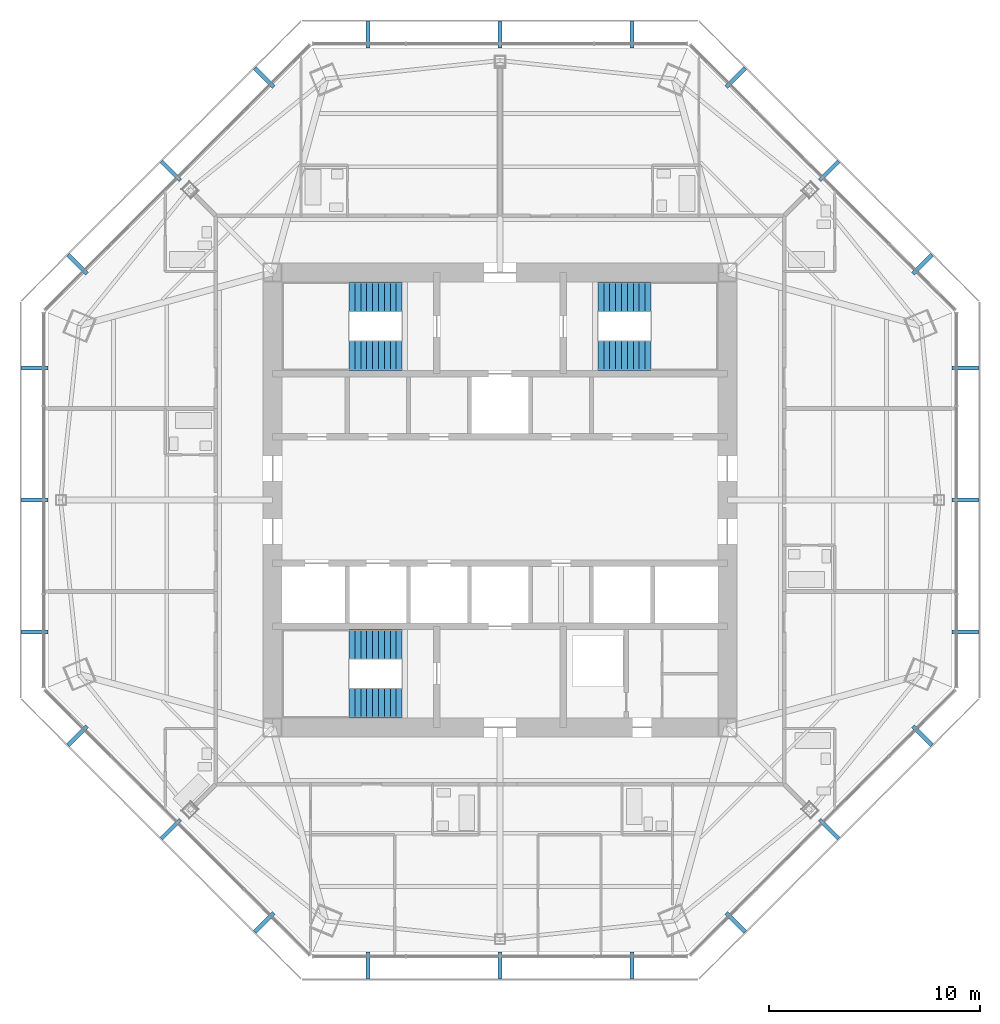
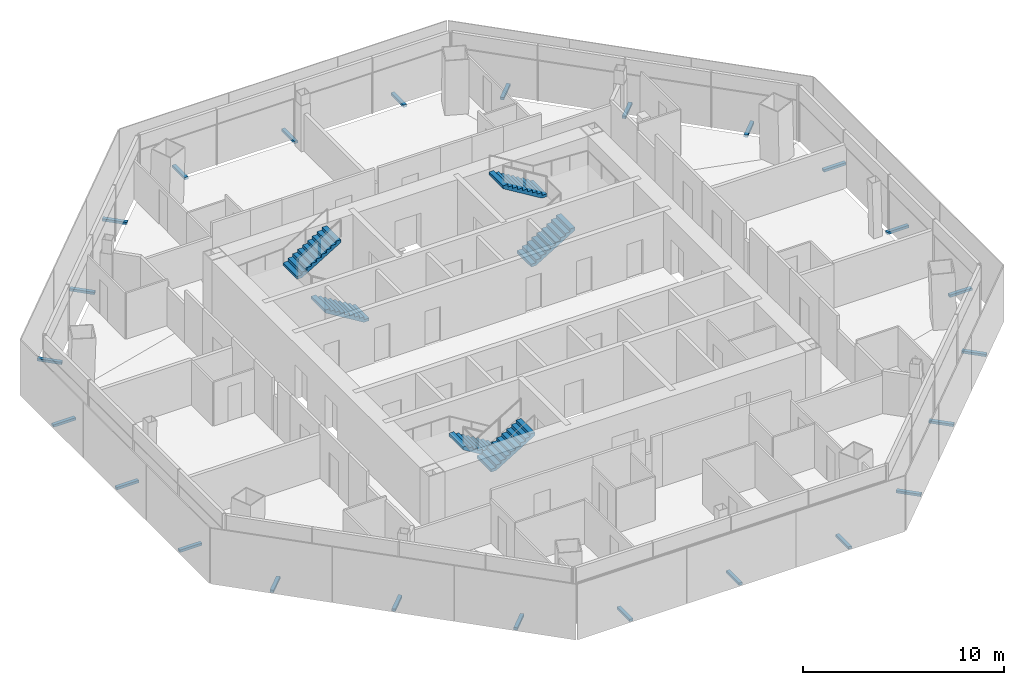
# One storey, part 12 of 15: 24 discrete accessories, 6 stair flights, 3 elements without a shape of their own.
"""IFC4 building model written with IfcOpenShell, lengths in metres."""

from ifc_helpers import new_model, si_unit, direction, frame, origin, origin_2d, place, context, subcontext, project, spatial, polyline, rectangle, outline, extrude, source, transform, mapped, material, type_object, type_shapes, element, aggregate, save


model = new_model("IFC4")

# Units and contexts
model_context = context("Model", 3, precision=1e-05, world=origin(), true_north=direction((0.0, 1.0)))
body_context = subcontext(model_context, "Body", "Model", "MODEL_VIEW")
ifc_project = project(units=[si_unit("LENGTHUNIT", "METRE"), si_unit("AREAUNIT", "SQUARE_METRE"), si_unit("VOLUMEUNIT", "CUBIC_METRE"), si_unit("PLANEANGLEUNIT", "RADIAN"), si_unit("MASSUNIT", "GRAM", prefix="KILO")], contexts=[model_context])

# Site, building, storey
site_placement = place(None, origin())
site = spatial("IfcSite", under=ifc_project, at=site_placement, CompositionType="ELEMENT")
building_placement = place(site_placement, origin())
building = spatial("IfcBuilding", under=site, at=building_placement, Name="Mashrafa Tower", CompositionType="ELEMENT")
storey_placement = place(building_placement, frame((0.0, 0.0, 224.39990234375)))
storey = spatial("IfcBuildingStorey", under=building, at=storey_placement, Name="L52", CompositionType="ELEMENT", Elevation=224.39990234375)

# Stair, stair flights
ifc_material_1 = material(Name="Exit stair 1400")
stair_type = type_object("IfcStairType", Name="Exit stair 1400", PredefinedType="HALF_TURN_STAIR", material=ifc_material_1)
stair_1_placement = place(storey_placement, origin())
stair_1 = element("IfcStair", 1, at=stair_1_placement, inside=storey, type_object=stair_type, Name="Stair S1 L52", PredefinedType="HALF_TURN_STAIR")
ifc_material_2 = material(Name="Concrete C32/40", Category="concrete")
stair_flight_type = type_object("IfcStairFlightType", Name="Stair flight 1400", PredefinedType="STRAIGHT", material=ifc_material_2)
stair_flight_1_placement = place(storey_placement, frame((-4.64990234375, 6.85009765625, 0.0), z_axis=(0.0, 0.0, 1.0), x_axis=(-1.0, 0.0, 0.0)))
stair_flight_1 = element("IfcStairFlight", 2, at=stair_flight_1_placement, type_object=stair_flight_type, Name="S1 flight 1", NumberOfRisers=10, NumberOfTreads=9, PredefinedType="STRAIGHT", RiserHeight=0.17, TreadLength=0.28, context=body_context, shape_type="SweptSolid", body=[
    extrude(outline(polyline([(0.0, 0.0), (0.0, 0.169921875), (0.280029296875, 0.169921875), (0.280029296875, 0.340087890625), (0.56005859375, 0.340087890625), (0.56005859375, 0.510009765625), (0.840087890625, 0.510009765625), (0.840087890625, 0.679931640625), (1.1201171875, 0.679931640625), (1.1201171875, 0.85009765625), (1.39990234375, 0.85009765625), (1.39990234375, 1.02001953125), (1.679931640625, 1.02001953125), (1.679931640625, 1.18994140625), (1.9599609375, 1.18994140625), (1.9599609375, 1.360107421875), (2.239990234375, 1.360107421875), (2.239990234375, 1.530029296875), (2.52001953125, 1.530029296875), (2.52001953125, 1.699951171875), (2.52001953125, 1.354736328125), (0.288818359375, 0.0), (0.0, 0.0)])), frame((0.0, 0.699951171875, 0.0), z_axis=(0.0, -1.0, 0.0), x_axis=(1.0, 0.0, 0.0)), (0.0, 0.0, 1.0), 1.39990234375),
])
stair_flight_2_placement = place(storey_placement, frame((-7.169921875, 9.64990234375, 1.7001953125), z_axis=(0.0, 0.0, 1.0), x_axis=(1.0, 0.0, 0.0)))
stair_flight_2 = element("IfcStairFlight", 3, at=stair_flight_2_placement, type_object=stair_flight_type, Name="S1 flight 2", NumberOfRisers=10, NumberOfTreads=9, PredefinedType="STRAIGHT", RiserHeight=0.17, TreadLength=0.28, context=body_context, shape_type="SweptSolid", body=[
    extrude(outline(polyline([(0.0, 0.0), (0.0, 0.169921875), (0.280029296875, 0.169921875), (0.280029296875, 0.340087890625), (0.56005859375, 0.340087890625), (0.56005859375, 0.510009765625), (0.840087890625, 0.510009765625), (0.840087890625, 0.679931640625), (1.1201171875, 0.679931640625), (1.1201171875, 0.85009765625), (1.39990234375, 0.85009765625), (1.39990234375, 1.02001953125), (1.679931640625, 1.02001953125), (1.679931640625, 1.18994140625), (1.9599609375, 1.18994140625), (1.9599609375, 1.360107421875), (2.239990234375, 1.360107421875), (2.239990234375, 1.530029296875), (2.52001953125, 1.530029296875), (2.52001953125, 1.699951171875), (2.52001953125, 1.354736328125), (0.288818359375, 0.0), (0.0, 0.0)])), frame((0.0, 0.699951171875, 0.0), z_axis=(0.0, -1.0, 0.0), x_axis=(1.0, 0.0, 0.0)), (0.0, 0.0, 1.0), 1.39990234375),
])
aggregate(stair_1, [stair_flight_1, stair_flight_2])

stair_2_placement = place(storey_placement, origin())
stair_2 = element("IfcStair", 4, at=stair_2_placement, inside=storey, type_object=stair_type, Name="Stair S2 L52", PredefinedType="HALF_TURN_STAIR")
stair_flight_3_placement = place(storey_placement, frame((4.64990234375, 6.85009765625, 0.0), z_axis=(0.0, 0.0, 1.0), x_axis=(1.0, 0.0, 0.0)))
stair_flight_3 = element("IfcStairFlight", 5, at=stair_flight_3_placement, type_object=stair_flight_type, Name="S2 flight 1", NumberOfRisers=10, NumberOfTreads=9, PredefinedType="STRAIGHT", RiserHeight=0.17, TreadLength=0.28, context=body_context, shape_type="SweptSolid", body=[
    extrude(outline(polyline([(0.0, 0.0), (0.0, 0.169921875), (0.280029296875, 0.169921875), (0.280029296875, 0.340087890625), (0.56005859375, 0.340087890625), (0.56005859375, 0.510009765625), (0.840087890625, 0.510009765625), (0.840087890625, 0.679931640625), (1.1201171875, 0.679931640625), (1.1201171875, 0.85009765625), (1.39990234375, 0.85009765625), (1.39990234375, 1.02001953125), (1.679931640625, 1.02001953125), (1.679931640625, 1.18994140625), (1.9599609375, 1.18994140625), (1.9599609375, 1.360107421875), (2.239990234375, 1.360107421875), (2.239990234375, 1.530029296875), (2.52001953125, 1.530029296875), (2.52001953125, 1.699951171875), (2.52001953125, 1.354736328125), (0.288818359375, 0.0), (0.0, 0.0)])), frame((0.0, 0.699951171875, 0.0), z_axis=(0.0, -1.0, 0.0), x_axis=(1.0, 0.0, 0.0)), (0.0, 0.0, 1.0), 1.39990234375),
])
stair_flight_4_placement = place(storey_placement, frame((7.169921875, 9.64990234375, 1.7001953125), z_axis=(0.0, 0.0, 1.0), x_axis=(-1.0, 0.0, 0.0)))
stair_flight_4 = element("IfcStairFlight", 6, at=stair_flight_4_placement, type_object=stair_flight_type, Name="S2 flight 2", NumberOfRisers=10, NumberOfTreads=9, PredefinedType="STRAIGHT", RiserHeight=0.17, TreadLength=0.28, context=body_context, shape_type="SweptSolid", body=[
    extrude(outline(polyline([(0.0, 0.0), (0.0, 0.169921875), (0.280029296875, 0.169921875), (0.280029296875, 0.340087890625), (0.56005859375, 0.340087890625), (0.56005859375, 0.510009765625), (0.840087890625, 0.510009765625), (0.840087890625, 0.679931640625), (1.1201171875, 0.679931640625), (1.1201171875, 0.85009765625), (1.39990234375, 0.85009765625), (1.39990234375, 1.02001953125), (1.679931640625, 1.02001953125), (1.679931640625, 1.18994140625), (1.9599609375, 1.18994140625), (1.9599609375, 1.360107421875), (2.239990234375, 1.360107421875), (2.239990234375, 1.530029296875), (2.52001953125, 1.530029296875), (2.52001953125, 1.699951171875), (2.52001953125, 1.354736328125), (0.288818359375, 0.0), (0.0, 0.0)])), frame((0.0, 0.699951171875, 0.0), z_axis=(0.0, -1.0, 0.0), x_axis=(1.0, 0.0, 0.0)), (0.0, 0.0, 1.0), 1.39990234375),
])
aggregate(stair_2, [stair_flight_3, stair_flight_4])

stair_3_placement = place(storey_placement, origin())
stair_3 = element("IfcStair", 7, at=stair_3_placement, inside=storey, type_object=stair_type, Name="Stair S3 L52", PredefinedType="HALF_TURN_STAIR")
stair_flight_5_placement = place(storey_placement, frame((-4.64990234375, -6.85009765625, 0.0), z_axis=(0.0, 0.0, 1.0), x_axis=(-1.0, 0.0, 0.0)))
stair_flight_5 = element("IfcStairFlight", 8, at=stair_flight_5_placement, type_object=stair_flight_type, Name="S3 flight 1", NumberOfRisers=10, NumberOfTreads=9, PredefinedType="STRAIGHT", RiserHeight=0.17, TreadLength=0.28, context=body_context, shape_type="SweptSolid", body=[
    extrude(outline(polyline([(0.0, 0.0), (0.0, 0.169921875), (0.280029296875, 0.169921875), (0.280029296875, 0.340087890625), (0.56005859375, 0.340087890625), (0.56005859375, 0.510009765625), (0.840087890625, 0.510009765625), (0.840087890625, 0.679931640625), (1.1201171875, 0.679931640625), (1.1201171875, 0.85009765625), (1.39990234375, 0.85009765625), (1.39990234375, 1.02001953125), (1.679931640625, 1.02001953125), (1.679931640625, 1.18994140625), (1.9599609375, 1.18994140625), (1.9599609375, 1.360107421875), (2.239990234375, 1.360107421875), (2.239990234375, 1.530029296875), (2.52001953125, 1.530029296875), (2.52001953125, 1.699951171875), (2.52001953125, 1.354736328125), (0.288818359375, 0.0), (0.0, 0.0)])), frame((0.0, 0.699951171875, 0.0), z_axis=(0.0, -1.0, 0.0), x_axis=(1.0, 0.0, 0.0)), (0.0, 0.0, 1.0), 1.39990234375),
])
stair_flight_6_placement = place(storey_placement, frame((-7.169921875, -9.64990234375, 1.7001953125), z_axis=(0.0, 0.0, 1.0), x_axis=(1.0, 0.0, 0.0)))
stair_flight_6 = element("IfcStairFlight", 9, at=stair_flight_6_placement, type_object=stair_flight_type, Name="S3 flight 2", NumberOfRisers=10, NumberOfTreads=9, PredefinedType="STRAIGHT", RiserHeight=0.17, TreadLength=0.28, context=body_context, shape_type="SweptSolid", body=[
    extrude(outline(polyline([(0.0, 0.0), (0.0, 0.169921875), (0.280029296875, 0.169921875), (0.280029296875, 0.340087890625), (0.56005859375, 0.340087890625), (0.56005859375, 0.510009765625), (0.840087890625, 0.510009765625), (0.840087890625, 0.679931640625), (1.1201171875, 0.679931640625), (1.1201171875, 0.85009765625), (1.39990234375, 0.85009765625), (1.39990234375, 1.02001953125), (1.679931640625, 1.02001953125), (1.679931640625, 1.18994140625), (1.9599609375, 1.18994140625), (1.9599609375, 1.360107421875), (2.239990234375, 1.360107421875), (2.239990234375, 1.530029296875), (2.52001953125, 1.530029296875), (2.52001953125, 1.699951171875), (2.52001953125, 1.354736328125), (0.288818359375, 0.0), (0.0, 0.0)])), frame((0.0, 0.699951171875, 0.0), z_axis=(0.0, -1.0, 0.0), x_axis=(1.0, 0.0, 0.0)), (0.0, 0.0, 1.0), 1.39990234375),
])
aggregate(stair_3, [stair_flight_5, stair_flight_6])

# Discrete accessories
ifc_material_3 = material(Name="Stainless steel screen bracket", Category="steel")
discrete_accessory_type = type_object("IfcDiscreteAccessoryType", Name="Screen support bracket 200 x 150", PredefinedType="BRACKET", material=ifc_material_3)
shared_shape = source(origin(), body_context, "Body", "SweptSolid", [
    extrude(rectangle(XDim=0.199951171875, YDim=1.27001953125, at=origin_2d()), origin(), (0.0, 0.0, 1.0), 0.14990234375),
])
type_shapes(discrete_accessory_type, [shared_shape])
for number, where, z_axis, x_axis, name in (
    (10, (22.101806640625, -6.27197265625, -0.14990234375), (0.0, 0.0, 1.0), (0.0, 1.0, 0.0), "Screen support bracket L52 east 1"),
    (11, (22.101806640625, 0.0, -0.14990234375), (0.0, 0.0, 1.0), (0.0, 1.0, 0.0), "Screen support bracket L52 east 2"),
    (12, (22.101806640625, 6.27197265625, -0.14990234375), (0.0, 0.0, 1.0), (0.0, 1.0, 0.0), "Screen support bracket L52 east 3"),
    (13, (20.063232421875, 11.193359375, -0.14990234375), (0.0, 0.0, 1.0), (-0.707106781187, 0.707106781187, 0.0), "Screen support bracket L52 north-east 1"),
    (14, (15.62841796875, 15.62841796875, -0.14990234375), (0.0, 0.0, 1.0), (-0.707106781187, 0.707106781187, 0.0), "Screen support bracket L52 north-east 2"),
    (15, (11.193359375, 20.063232421875, -0.14990234375), (0.0, 0.0, 1.0), (-0.707106781187, 0.707106781187, 0.0), "Screen support bracket L52 north-east 3"),
    (16, (6.27197265625, 22.101806640625, -0.14990234375), (0.0, 0.0, 1.0), (-1.0, 0.0, 0.0), "Screen support bracket L52 north 1"),
    (17, (0.0, 22.101806640625, -0.14990234375), (0.0, 0.0, 1.0), (-1.0, 0.0, 0.0), "Screen support bracket L52 north 2"),
    (18, (-6.27197265625, 22.101806640625, -0.14990234375), (0.0, 0.0, 1.0), (-1.0, 0.0, 0.0), "Screen support bracket L52 north 3"),
    (19, (-11.193359375, 20.063232421875, -0.14990234375), (0.0, 0.0, 1.0), (-0.707106781187, -0.707106781187, 0.0), "Screen support bracket L52 north-west 1"),
    (20, (-15.62841796875, 15.62841796875, -0.14990234375), (0.0, 0.0, 1.0), (-0.707106781187, -0.707106781187, 0.0), "Screen support bracket L52 north-west 2"),
    (21, (-20.063232421875, 11.193359375, -0.14990234375), (0.0, 0.0, 1.0), (-0.707106781187, -0.707106781187, 0.0), "Screen support bracket L52 north-west 3"),
    (22, (-22.101806640625, 6.27197265625, -0.14990234375), (0.0, 0.0, 1.0), (0.0, -1.0, 0.0), "Screen support bracket L52 west 1"),
    (23, (-22.101806640625, 0.0, -0.14990234375), (0.0, 0.0, 1.0), (0.0, -1.0, 0.0), "Screen support bracket L52 west 2"),
    (24, (-22.101806640625, -6.27197265625, -0.14990234375), (0.0, 0.0, 1.0), (0.0, -1.0, 0.0), "Screen support bracket L52 west 3"),
    (25, (-20.063232421875, -11.193359375, -0.14990234375), (0.0, 0.0, 1.0), (0.707106781187, -0.707106781187, 0.0), "Screen support bracket L52 south-west 1"),
    (26, (-15.62841796875, -15.62841796875, -0.14990234375), (0.0, 0.0, 1.0), (0.707106781187, -0.707106781187, 0.0), "Screen support bracket L52 south-west 2"),
    (27, (-11.193359375, -20.063232421875, -0.14990234375), (0.0, 0.0, 1.0), (0.707106781187, -0.707106781187, 0.0), "Screen support bracket L52 south-west 3"),
    (28, (-6.27197265625, -22.101806640625, -0.14990234375), (0.0, 0.0, 1.0), (1.0, 0.0, 0.0), "Screen support bracket L52 south 1"),
    (29, (0.0, -22.101806640625, -0.14990234375), (0.0, 0.0, 1.0), (1.0, 0.0, 0.0), "Screen support bracket L52 south 2"),
    (30, (6.27197265625, -22.101806640625, -0.14990234375), (0.0, 0.0, 1.0), (1.0, 0.0, 0.0), "Screen support bracket L52 south 3"),
    (31, (11.193359375, -20.063232421875, -0.14990234375), (0.0, 0.0, 1.0), (0.707106781187, 0.707106781187, 0.0), "Screen support bracket L52 south-east 1"),
    (32, (15.62841796875, -15.62841796875, -0.14990234375), (0.0, 0.0, 1.0), (0.707106781187, 0.707106781187, 0.0), "Screen support bracket L52 south-east 2"),
    (33, (20.063232421875, -11.193359375, -0.14990234375), (0.0, 0.0, 1.0), (0.707106781187, 0.707106781187, 0.0), "Screen support bracket L52 south-east 3"),
):
    element("IfcDiscreteAccessory", number, at=place(storey_placement, frame(where, z_axis=z_axis, x_axis=x_axis)), inside=storey, type_object=discrete_accessory_type, Name=name, PredefinedType="BRACKET", context=body_context, shape_type="MappedRepresentation", body=[
        mapped(shared_shape, transform((0.0, 0.0, 0.0))),
    ])

save(model, "model.ifc")
